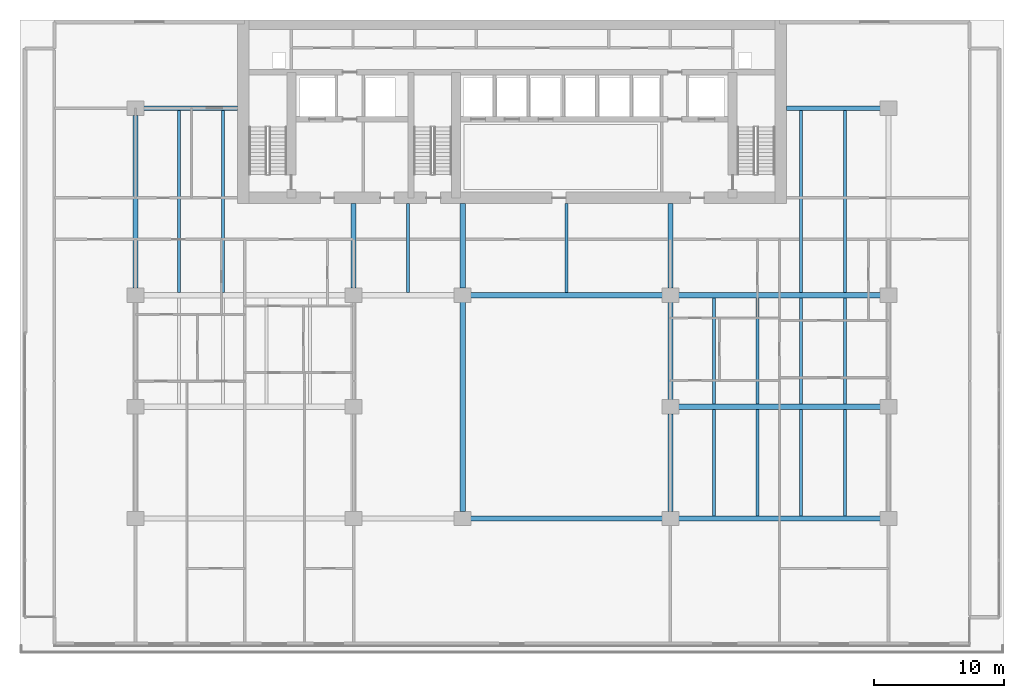
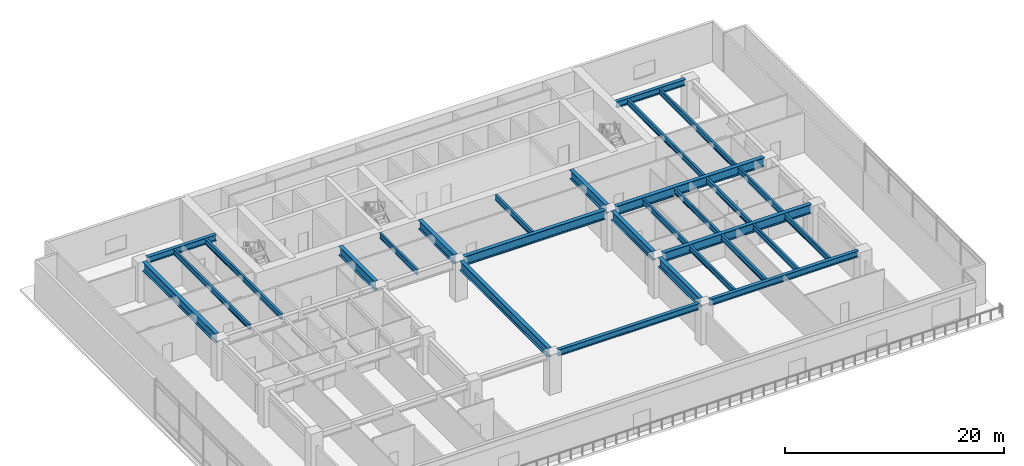
# One storey, part 3 of 13: 28 beams.
"""IFC4 building model written with IfcOpenShell, lengths in metres."""

from ifc_helpers import new_model, si_unit, direction, frame, origin, origin_2d, place, context, subcontext, project, spatial, i_section, extrude, material, material_profile, profile_set, type_object, element, save


model = new_model("IFC4")

# Units and contexts
model_context = context("Model", 3, precision=1e-05, world=origin(), true_north=direction((0.0, 1.0)))
body_context = subcontext(model_context, "Body", "Model", "MODEL_VIEW")
ifc_project = project(units=[si_unit("LENGTHUNIT", "METRE"), si_unit("AREAUNIT", "SQUARE_METRE"), si_unit("VOLUMEUNIT", "CUBIC_METRE"), si_unit("PLANEANGLEUNIT", "RADIAN"), si_unit("MASSUNIT", "GRAM", prefix="KILO")], contexts=[model_context])

# Site, building, storey
site_placement = place(None, origin())
site = spatial("IfcSite", under=ifc_project, at=site_placement, CompositionType="ELEMENT")
building_placement = place(site_placement, origin())
building = spatial("IfcBuilding", under=site, at=building_placement, Name="Caelmar Bay Residences", CompositionType="ELEMENT")
storey_placement = place(building_placement, frame((0.0, 0.0, 19.800048828125)))
storey = spatial("IfcBuildingStorey", under=building, at=storey_placement, Name="L04", CompositionType="ELEMENT", Elevation=19.800048828125)

# Beams
ifc_material = material(Name="Steel ASTM A992 Grade 50", Category="steel")
ifc_material_profile_1 = material_profile(ifc_material, i_section(OverallWidth=0.404052734375, OverallDepth=1.02099609375, WebThickness=0.025390625, FlangeThickness=0.0458984375, FilletRadius=0.02294921875, at=origin_2d()), Name="W40X324")
ifc_profile_set_1 = profile_set([ifc_material_profile_1], Name="Steel ASTM A992 Grade 50")
beam_type_1 = type_object("IfcBeamType", Name="BM-GRD-W40X324", PredefinedType="BEAM", material=ifc_profile_set_1)
beam_1_placement = place(storey_placement, frame((51.639892578125, 20.800048828125, 3.939453125), z_axis=(1.0, 0.0, 0.0), x_axis=(0.0, 1.0, 0.0)))
element("IfcBeam", 1, at=beam_1_placement, inside=storey, type_object=beam_type_1, Name="L04 East-West Girder Y=20.80 (51.1-67.9)", PredefinedType="BEAM", context=body_context, shape_type="SweptSolid", body=[
    extrude(i_section(OverallWidth=0.404052734375, OverallDepth=1.02099609375, WebThickness=0.025390625, FlangeThickness=0.0458984375, FilletRadius=0.02294921875, at=origin_2d()), origin(), (0.0, 0.0, 1.0), 15.72021484375),
])
beam_2_placement = place(storey_placement, frame((35.639892578125, 29.39990234375, 3.939453125), z_axis=(1.0, 0.0, 0.0), x_axis=(0.0, 1.0, 0.0)))
element("IfcBeam", 2, at=beam_2_placement, inside=storey, type_object=beam_type_1, Name="L04 East-West Girder Y=29.40 (35.1-51.1)", PredefinedType="BEAM", context=body_context, shape_type="SweptSolid", body=[
    extrude(i_section(OverallWidth=0.404052734375, OverallDepth=1.02099609375, WebThickness=0.025390625, FlangeThickness=0.0458984375, FilletRadius=0.02294921875, at=origin_2d()), origin(), (0.0, 0.0, 1.0), 14.920166015625),
])
beam_3_placement = place(storey_placement, frame((51.639892578125, 29.39990234375, 3.939453125), z_axis=(1.0, 0.0, 0.0), x_axis=(0.0, 1.0, 0.0)))
element("IfcBeam", 3, at=beam_3_placement, inside=storey, type_object=beam_type_1, Name="L04 East-West Girder Y=29.40 (51.1-67.9)", PredefinedType="BEAM", context=body_context, shape_type="SweptSolid", body=[
    extrude(i_section(OverallWidth=0.404052734375, OverallDepth=1.02099609375, WebThickness=0.025390625, FlangeThickness=0.0458984375, FilletRadius=0.02294921875, at=origin_2d()), origin(), (0.0, 0.0, 1.0), 15.72021484375),
])
beam_4_placement = place(storey_placement, frame((9.89990234375, 29.93994140625, 3.939453125), z_axis=(0.0, 1.0, 0.0), x_axis=(-1.0, 0.0, 0.0)))
element("IfcBeam", 4, at=beam_4_placement, inside=storey, type_object=beam_type_1, Name="L04 North-South Girder X=9.90 (29.4-43.8)", PredefinedType="BEAM", context=body_context, shape_type="SweptSolid", body=[
    extrude(i_section(OverallWidth=0.404052734375, OverallDepth=1.02099609375, WebThickness=0.025390625, FlangeThickness=0.0458984375, FilletRadius=0.02294921875, at=origin_2d()), origin(), (0.0, 0.0, 1.0), 13.320068359375),
])
for number, where, z_axis, x_axis, name in (
    (5, (26.699951171875, 29.93994140625, 3.939453125), (0.0, 1.0, 0.0), (-1.0, 0.0, 0.0), "L04 Core Tie Girder X=26.70"),
    (6, (35.10009765625, 29.93994140625, 3.939453125), (0.0, 1.0, 0.0), (-1.0, 0.0, 0.0), "L04 Core Tie Girder X=35.10"),
):
    element("IfcBeam", number, at=place(storey_placement, frame(where, z_axis=z_axis, x_axis=x_axis)), inside=storey, type_object=beam_type_1, Name=name, PredefinedType="BEAM", context=body_context, shape_type="SweptSolid", body=[
        extrude(i_section(OverallWidth=0.404052734375, OverallDepth=1.02099609375, WebThickness=0.025390625, FlangeThickness=0.0458984375, FilletRadius=0.02294921875, at=origin_2d()), origin(), (0.0, 0.0, 1.0), 6.510009765625),
    ])
beam_5_placement = place(storey_placement, frame((35.10009765625, 12.739990234375, 3.939453125), z_axis=(0.0, 1.0, 0.0), x_axis=(-1.0, 0.0, 0.0)))
element("IfcBeam", 7, at=beam_5_placement, inside=storey, type_object=beam_type_1, Name="L04 North-South Girder X=35.10 (12.2-29.4)", PredefinedType="BEAM", context=body_context, shape_type="SweptSolid", body=[
    extrude(i_section(OverallWidth=0.404052734375, OverallDepth=1.02099609375, WebThickness=0.025390625, FlangeThickness=0.0458984375, FilletRadius=0.02294921875, at=origin_2d()), origin(), (0.0, 0.0, 1.0), 16.1201171875),
])
beam_6_placement = place(storey_placement, frame((51.10009765625, 29.93994140625, 3.939453125), z_axis=(0.0, 1.0, 0.0), x_axis=(-1.0, 0.0, 0.0)))
element("IfcBeam", 8, at=beam_6_placement, inside=storey, type_object=beam_type_1, Name="L04 Core Tie Girder X=51.10", PredefinedType="BEAM", context=body_context, shape_type="SweptSolid", body=[
    extrude(i_section(OverallWidth=0.404052734375, OverallDepth=1.02099609375, WebThickness=0.025390625, FlangeThickness=0.0458984375, FilletRadius=0.02294921875, at=origin_2d()), origin(), (0.0, 0.0, 1.0), 6.510009765625),
])
for number, where, z_axis, x_axis, name in (
    (9, (51.10009765625, 12.739990234375, 3.939453125), (0.0, 1.0, 0.0), (-1.0, 0.0, 0.0), "L04 North-South Girder X=51.10 (12.2-20.8)"),
    (10, (51.10009765625, 21.340087890625, 3.939453125), (0.0, 1.0, 0.0), (-1.0, 0.0, 0.0), "L04 North-South Girder X=51.10 (20.8-29.4)"),
):
    element("IfcBeam", number, at=place(storey_placement, frame(where, z_axis=z_axis, x_axis=x_axis)), inside=storey, type_object=beam_type_1, Name=name, PredefinedType="BEAM", context=body_context, shape_type="SweptSolid", body=[
        extrude(i_section(OverallWidth=0.404052734375, OverallDepth=1.02099609375, WebThickness=0.025390625, FlangeThickness=0.0458984375, FilletRadius=0.02294921875, at=origin_2d()), origin(), (0.0, 0.0, 1.0), 7.52001953125),
    ])
ifc_material_profile_2 = material_profile(ifc_material, i_section(OverallWidth=0.22900390625, OverallDepth=0.612060546875, WebThickness=0.011962890625, FlangeThickness=0.01953125, FilletRadius=0.0126953125, at=origin_2d()), Name="W24X84")
ifc_profile_set_2 = profile_set([ifc_material_profile_2], Name="Steel ASTM A992 Grade 50")
beam_type_2 = type_object("IfcBeamType", Name="BM-JST-W24X84", PredefinedType="JOIST", material=ifc_profile_set_2)
for number, where, z_axis, x_axis, name in (
    (11, (54.4599609375, 12.3779296875, 4.14404296875), (0.0, 1.0, 0.0), (-1.0, 0.0, 0.0), "L04 Composite Floor Joist 1"),
    (12, (57.820068359375, 12.3779296875, 4.14404296875), (0.0, 1.0, 0.0), (-1.0, 0.0, 0.0), "L04 Composite Floor Joist 2"),
    (13, (61.179931640625, 12.3779296875, 4.14404296875), (0.0, 1.0, 0.0), (-1.0, 0.0, 0.0), "L04 Composite Floor Joist 3"),
    (14, (64.5400390625, 12.3779296875, 4.14404296875), (0.0, 1.0, 0.0), (-1.0, 0.0, 0.0), "L04 Composite Floor Joist 4"),
):
    element("IfcBeam", number, at=place(storey_placement, frame(where, z_axis=z_axis, x_axis=x_axis)), inside=storey, type_object=beam_type_2, Name=name, PredefinedType="JOIST", context=body_context, shape_type="SweptSolid", body=[
        extrude(i_section(OverallWidth=0.22900390625, OverallDepth=0.612060546875, WebThickness=0.011962890625, FlangeThickness=0.01953125, FilletRadius=0.0126953125, at=origin_2d()), origin(), (0.0, 0.0, 1.0), 8.219970703125),
    ])
for number, where, z_axis, x_axis, name in (
    (15, (54.4599609375, 21.001953125, 4.14404296875), (0.0, 1.0, 0.0), (-1.0, 0.0, 0.0), "L04 Composite Floor Joist 9"),
    (16, (57.820068359375, 21.001953125, 4.14404296875), (0.0, 1.0, 0.0), (-1.0, 0.0, 0.0), "L04 Composite Floor Joist 10"),
    (17, (61.179931640625, 21.001953125, 4.14404296875), (0.0, 1.0, 0.0), (-1.0, 0.0, 0.0), "L04 Composite Floor Joist 11"),
    (18, (64.5400390625, 21.001953125, 4.14404296875), (0.0, 1.0, 0.0), (-1.0, 0.0, 0.0), "L04 Composite Floor Joist 12"),
):
    element("IfcBeam", number, at=place(storey_placement, frame(where, z_axis=z_axis, x_axis=x_axis)), inside=storey, type_object=beam_type_2, Name=name, PredefinedType="JOIST", context=body_context, shape_type="SweptSolid", body=[
        extrude(i_section(OverallWidth=0.22900390625, OverallDepth=0.612060546875, WebThickness=0.011962890625, FlangeThickness=0.01953125, FilletRadius=0.0126953125, at=origin_2d()), origin(), (0.0, 0.0, 1.0), 8.196044921875),
    ])
for number, where, z_axis, x_axis, name in (
    (19, (30.89990234375, 29.60205078125, 4.14404296875), (0.0, 1.0, 0.0), (-1.0, 0.0, 0.0), "L04 Core-Band Composite Joist 13"),
    (20, (43.10009765625, 29.60205078125, 4.14404296875), (0.0, 1.0, 0.0), (-1.0, 0.0, 0.0), "L04 Core-Band Composite Joist 14"),
):
    element("IfcBeam", number, at=place(storey_placement, frame(where, z_axis=z_axis, x_axis=x_axis)), inside=storey, type_object=beam_type_2, Name=name, PredefinedType="JOIST", context=body_context, shape_type="SweptSolid", body=[
        extrude(i_section(OverallWidth=0.22900390625, OverallDepth=0.612060546875, WebThickness=0.011962890625, FlangeThickness=0.01953125, FilletRadius=0.0126953125, at=origin_2d()), origin(), (0.0, 0.0, 1.0), 6.847900390625),
    ])
for number, where, z_axis, x_axis, name in (
    (21, (13.260009765625, 29.60205078125, 4.14404296875), (0.0, 1.0, 0.0), (-1.0, 0.0, 0.0), "L04 Composite Floor Joist 15"),
    (22, (16.6201171875, 29.60205078125, 4.14404296875), (0.0, 1.0, 0.0), (-1.0, 0.0, 0.0), "L04 Composite Floor Joist 16"),
    (23, (61.179931640625, 29.60205078125, 4.14404296875), (0.0, 1.0, 0.0), (-1.0, 0.0, 0.0), "L04 Composite Floor Joist 17"),
    (24, (64.5400390625, 29.60205078125, 4.14404296875), (0.0, 1.0, 0.0), (-1.0, 0.0, 0.0), "L04 Composite Floor Joist 18"),
):
    element("IfcBeam", number, at=place(storey_placement, frame(where, z_axis=z_axis, x_axis=x_axis)), inside=storey, type_object=beam_type_2, Name=name, PredefinedType="JOIST", context=body_context, shape_type="SweptSolid", body=[
        extrude(i_section(OverallWidth=0.22900390625, OverallDepth=0.612060546875, WebThickness=0.011962890625, FlangeThickness=0.01953125, FilletRadius=0.0126953125, at=origin_2d()), origin(), (0.0, 0.0, 1.0), 14.02001953125),
    ])
ifc_material_profile_3 = material_profile(ifc_material, i_section(OverallWidth=0.35595703125, OverallDepth=0.696044921875, WebThickness=0.015380859375, FlangeThickness=0.02490234375, FilletRadius=0.01513671875, at=origin_2d()), Name="W27X146")
ifc_profile_set_3 = profile_set([ifc_material_profile_3], Name="Steel ASTM A992 Grade 50")
beam_type_3 = type_object("IfcBeamType", Name="BM-SPN-W27X146", PredefinedType="SPANDREL", material=ifc_profile_set_3)
beam_7_placement = place(storey_placement, frame((35.639892578125, 12.199951171875, 4.10205078125), z_axis=(1.0, 0.0, 0.0), x_axis=(0.0, 1.0, 0.0)))
element("IfcBeam", 25, at=beam_7_placement, inside=storey, type_object=beam_type_3, Name="L04 East-West Girder Y=12.20 (35.1-51.1)", PredefinedType="SPANDREL", context=body_context, shape_type="SweptSolid", body=[
    extrude(i_section(OverallWidth=0.35595703125, OverallDepth=0.696044921875, WebThickness=0.015380859375, FlangeThickness=0.02490234375, FilletRadius=0.01513671875, at=origin_2d()), origin(), (0.0, 0.0, 1.0), 14.920166015625),
])
beam_8_placement = place(storey_placement, frame((51.639892578125, 12.199951171875, 4.10205078125), z_axis=(1.0, 0.0, 0.0), x_axis=(0.0, 1.0, 0.0)))
element("IfcBeam", 26, at=beam_8_placement, inside=storey, type_object=beam_type_3, Name="L04 East-West Girder Y=12.20 (51.1-67.9)", PredefinedType="SPANDREL", context=body_context, shape_type="SweptSolid", body=[
    extrude(i_section(OverallWidth=0.35595703125, OverallDepth=0.696044921875, WebThickness=0.015380859375, FlangeThickness=0.02490234375, FilletRadius=0.01513671875, at=origin_2d()), origin(), (0.0, 0.0, 1.0), 15.72021484375),
])
for number, where, z_axis, x_axis, name in (
    (27, (10.43994140625, 43.800048828125, 4.10205078125), (1.0, 0.0, 0.0), (0.0, 1.0, 0.0), "L04 North-West Wing Core Tie Girder"),
    (28, (60.050048828125, 43.800048828125, 4.10205078125), (1.0, 0.0, 0.0), (0.0, 1.0, 0.0), "L04 North-East Wing Core Tie Girder"),
):
    element("IfcBeam", number, at=place(storey_placement, frame(where, z_axis=z_axis, x_axis=x_axis)), inside=storey, type_object=beam_type_3, Name=name, PredefinedType="SPANDREL", context=body_context, shape_type="SweptSolid", body=[
        extrude(i_section(OverallWidth=0.35595703125, OverallDepth=0.696044921875, WebThickness=0.015380859375, FlangeThickness=0.02490234375, FilletRadius=0.01513671875, at=origin_2d()), origin(), (0.0, 0.0, 1.0), 7.31005859375),
    ])

save(model, "model.ifc")
